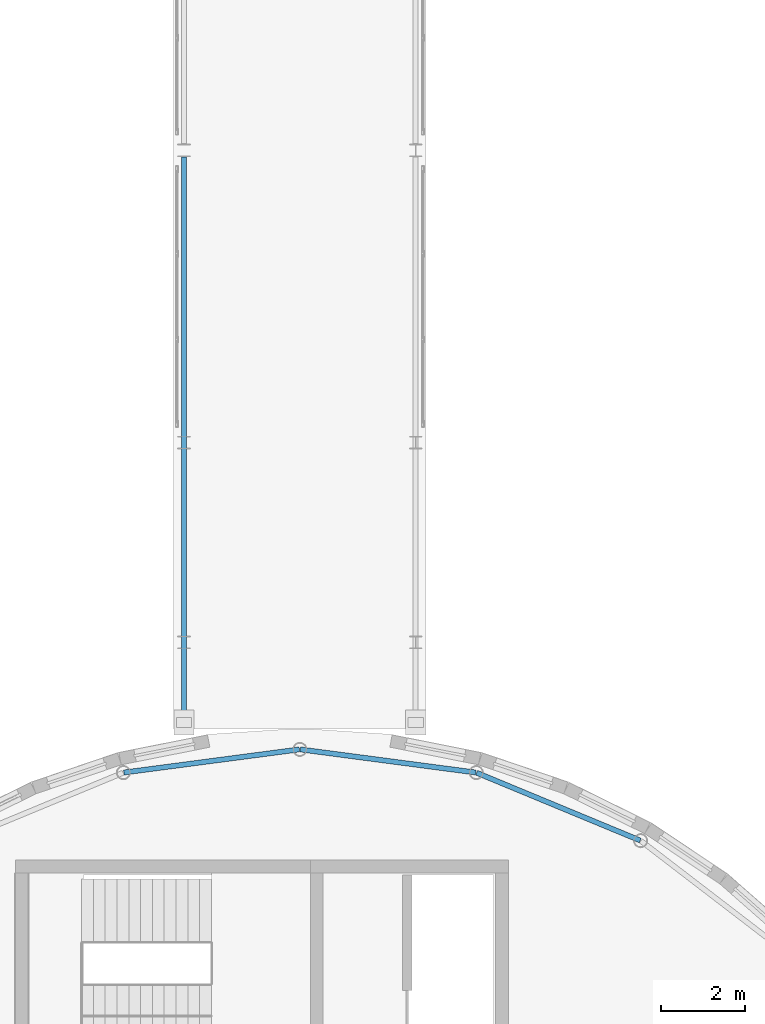
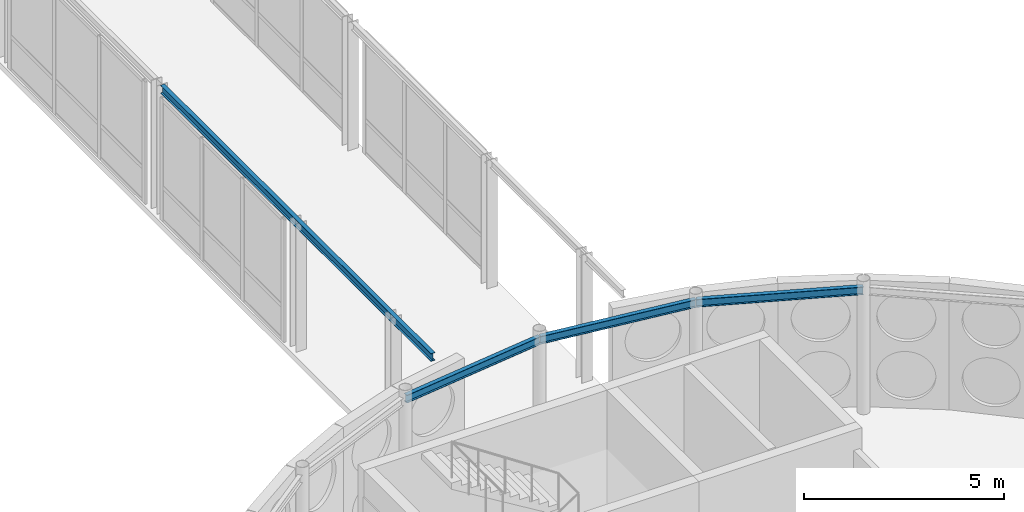
# One storey, part 53 of 189: 4 beams.
"""IFC4 building model written with IfcOpenShell, lengths in metres."""

from ifc_helpers import new_model, si_unit, direction, frame, origin, origin_2d, place, context, subcontext, project, spatial, i_section, extrude, material, material_profile, profile_set, type_object, element, save


model = new_model("IFC4")

# Units and contexts
model_context = context("Model", 3, precision=1e-05, world=origin(), true_north=direction((0.0, 1.0)))
body_context = subcontext(model_context, "Body", "Model", "MODEL_VIEW")
ifc_project = project(units=[si_unit("LENGTHUNIT", "METRE"), si_unit("AREAUNIT", "SQUARE_METRE"), si_unit("VOLUMEUNIT", "CUBIC_METRE"), si_unit("PLANEANGLEUNIT", "RADIAN"), si_unit("MASSUNIT", "GRAM", prefix="KILO")], contexts=[model_context])

# Site, building, storey
site_placement = place(None, origin())
site = spatial("IfcSite", under=ifc_project, at=site_placement, CompositionType="ELEMENT")
building_placement = place(site_placement, origin())
building = spatial("IfcBuilding", under=site, at=building_placement, Name="Montecoro Central Library", CompositionType="ELEMENT")
storey_placement = place(building_placement, frame((0.0, 0.0, 9.179931640625)))
storey = spatial("IfcBuildingStorey", under=building, at=storey_placement, Name="L02", CompositionType="ELEMENT", Elevation=9.179931640625)

# Beams
ifc_material = material(Name="Steel S355", Category="steel")
ifc_material_profile = material_profile(ifc_material, i_section(OverallWidth=0.1201171875, OverallDepth=0.239990234375, WebThickness=0.006103515625, FlangeThickness=0.009765625, at=origin_2d()), Name="IPE 240")
ifc_profile_set = profile_set([ifc_material_profile], Name="Steel S355")
beam_type = type_object("IfcBeamType", Name="BM-SP-IPE240", PredefinedType="SPANDREL", material=ifc_profile_set)
beam_1_placement = place(storey_placement, frame((99.680908203125, 49.416015625, 3.705078125), z_axis=(-0.923865350906, 0.382717667995, 0.0), x_axis=(-0.382717667995, -0.923865350906, 0.0)))
element("IfcBeam", 1, at=beam_1_placement, inside=storey, type_object=beam_type, Name="V1-L02-RING-05", PredefinedType="SPANDREL", context=body_context, shape_type="SweptSolid", body=[
    extrude(i_section(OverallWidth=0.1201171875, OverallDepth=0.239990234375, WebThickness=0.006103515625, FlangeThickness=0.009765625, at=origin_2d()), origin(), (0.0, 0.0, 1.0), 4.203857421875),
])
for number, where, z_axis, x_axis, name in (
    (2, (95.778076171875, 51.030029296875, 3.705078125), (-0.99143412197, 0.130607740177, 0.0), (-0.130607740177, -0.99143412197, 0.0), "V1-L02-RING-06"),
    (3, (91.590087890625, 51.5791015625, 3.705078125), (-0.99143412197, -0.130607740177, 0.0), (0.130607740177, -0.99143412197, 0.0), "V1-L02-RING-07"),
):
    element("IfcBeam", number, at=place(storey_placement, frame(where, z_axis=z_axis, x_axis=x_axis)), inside=storey, type_object=beam_type, Name=name, PredefinedType="SPANDREL", context=body_context, shape_type="SweptSolid", body=[
        extrude(i_section(OverallWidth=0.1201171875, OverallDepth=0.239990234375, WebThickness=0.006103515625, FlangeThickness=0.009765625, at=origin_2d()), origin(), (0.0, 0.0, 1.0), 4.2041015625),
    ])
beam_2_placement = place(storey_placement, frame((88.85009765625, 52.139892578125, 3.7880859375), z_axis=(0.0, 1.0, 0.0), x_axis=(-1.0, 0.0, 0.0)))
element("IfcBeam", 4, at=beam_2_placement, inside=storey, type_object=beam_type, Name="BR-N-ROOF-BM-W1", PredefinedType="SPANDREL", context=body_context, shape_type="SweptSolid", body=[
    extrude(i_section(OverallWidth=0.1201171875, OverallDepth=0.239990234375, WebThickness=0.006103515625, FlangeThickness=0.009765625, at=origin_2d()), origin(), (0.0, 0.0, 1.0), 13.5),
])

save(model, "model.ifc")
